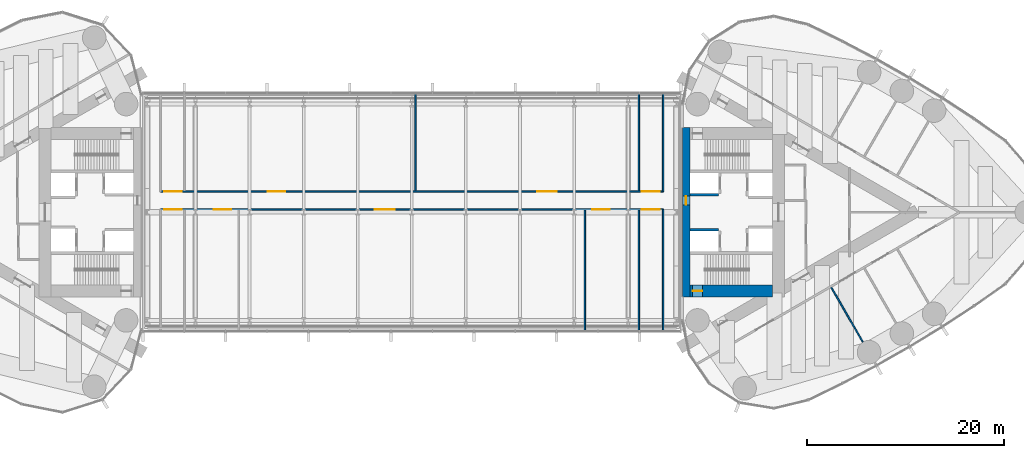
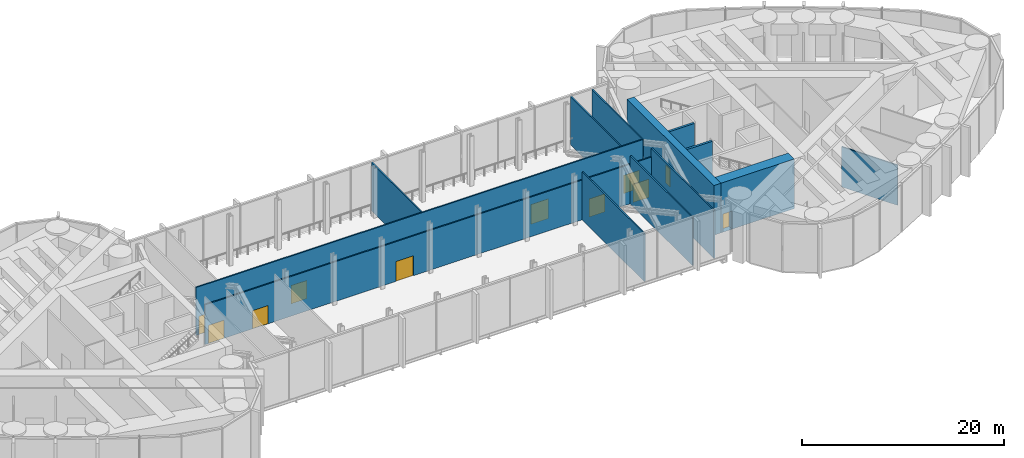
# One storey, part 17 of 21: 13 walls, 11 doors, 11 openings.
"""IFC4 building model written with IfcOpenShell, lengths in metres."""

from ifc_helpers import new_model, si_unit, direction, frame, frame_2d, origin, place, context, subcontext, project, spatial, rectangle, extrude, material, layer, layer_set, type_object, element, fill, save


model = new_model("IFC4")

# Units and contexts
model_context = context("Model", 3, precision=1e-05, world=origin(), true_north=direction((0.0, 1.0)))
body_context = subcontext(model_context, "Body", "Model", "MODEL_VIEW")
ifc_project = project(units=[si_unit("LENGTHUNIT", "METRE"), si_unit("AREAUNIT", "SQUARE_METRE"), si_unit("VOLUMEUNIT", "CUBIC_METRE"), si_unit("PLANEANGLEUNIT", "RADIAN"), si_unit("MASSUNIT", "GRAM", prefix="KILO")], contexts=[model_context])

# Site, building, storey
site_placement = place(None, origin())
site = spatial("IfcSite", under=ifc_project, at=site_placement, CompositionType="ELEMENT")
building_placement = place(site_placement, origin())
building = spatial("IfcBuilding", under=site, at=building_placement, Name="Lancet Gate Hotel", CompositionType="ELEMENT")
storey_placement = place(building_placement, frame((0.0, 0.0, 257.300048828125)))
storey = spatial("IfcBuildingStorey", under=building, at=storey_placement, Name="L68", CompositionType="ELEMENT", Elevation=257.300048828125)

# Wall, openings, doors
ifc_material_1 = material(Name="Gypsum board partition")
ifc_layer_1 = layer(ifc_material_1, 0.14990234375)
ifc_layer_set_1 = layer_set([ifc_layer_1], Name="Block corridor wall 150")
wall_type_1 = type_object("IfcWallType", Name="Block corridor wall 150", PredefinedType="PARTITIONING", material=ifc_layer_set_1)
wall_1_placement = place(storey_placement, frame((-25.550048828125, 0.300048828125, 0.0), z_axis=(0.0, 0.0, 1.0), x_axis=(1.0, 0.0, 0.0)))
wall_1 = element("IfcWall", 1, at=wall_1_placement, inside=storey, type_object=wall_type_1, Name="Bridge block block corridor wall 150 L68", PredefinedType="PARTITIONING", context=body_context, shape_type="SweptSolid", body=[
    extrude(rectangle(XDim=51.10009765625, YDim=0.14990234375, at=frame_2d((25.550048828125, 0.0))), origin(), (0.0, 0.0, 1.0), 4.800048828125),
])
opening_1_placement = place(wall_1_placement, frame((0.362548828125, 0.0, 0.0)))
opening_1 = element("IfcOpeningElement", 2, at=opening_1_placement, cuts=wall_1, Name="Opening BR-L68-P1", PredefinedType="OPENING", context=body_context, shape_type="SweptSolid", body=[
    extrude(rectangle(XDim=1.800048828125, YDim=2.199951171875, at=frame_2d((0.89990234375, 1.10009765625))), frame((0.0, 0.0849609375, 0.0), z_axis=(0.0, -1.0, 0.0), x_axis=(1.0, 0.0, 0.0)), (0.0, 0.0, 1.0), 0.169921875),
])
opening_2_placement = place(wall_1_placement, frame((5.39990234375, 0.0, 0.0)))
opening_2 = element("IfcOpeningElement", 3, at=opening_2_placement, cuts=wall_1, Name="Opening BR-L68-P2", PredefinedType="OPENING", context=body_context, shape_type="SweptSolid", body=[
    extrude(rectangle(XDim=1.800048828125, YDim=2.199951171875, at=frame_2d((0.89990234375, 1.10009765625))), frame((0.0, 0.0849609375, 0.0), z_axis=(0.0, -1.0, 0.0), x_axis=(1.0, 0.0, 0.0)), (0.0, 0.0, 1.0), 0.169921875),
])
opening_3_placement = place(wall_1_placement, frame((21.800048828125, 0.0, 0.0)))
opening_3 = element("IfcOpeningElement", 4, at=opening_3_placement, cuts=wall_1, Name="Opening BR-L68-P3", PredefinedType="OPENING", context=body_context, shape_type="SweptSolid", body=[
    extrude(rectangle(XDim=2.0, YDim=2.39990234375, at=frame_2d((1.0, 1.199951171875))), frame((0.0, 0.0849609375, 0.0), z_axis=(0.0, -1.0, 0.0), x_axis=(1.0, 0.0, 0.0)), (0.0, 0.0, 1.0), 0.169921875),
])
opening_4_placement = place(wall_1_placement, frame((43.89990234375, 0.0, 0.0)))
opening_4 = element("IfcOpeningElement", 5, at=opening_4_placement, cuts=wall_1, Name="Opening BR-L68-P4", PredefinedType="OPENING", context=body_context, shape_type="SweptSolid", body=[
    extrude(rectangle(XDim=1.800048828125, YDim=2.199951171875, at=frame_2d((0.89990234375, 1.10009765625))), frame((0.0, 0.0849609375, 0.0), z_axis=(0.0, -1.0, 0.0), x_axis=(1.0, 0.0, 0.0)), (0.0, 0.0, 1.0), 0.169921875),
])
opening_5_placement = place(wall_1_placement, frame((48.9375, 0.0, 0.0)))
opening_5 = element("IfcOpeningElement", 6, at=opening_5_placement, cuts=wall_1, Name="Opening BR-L68-P5", PredefinedType="OPENING", context=body_context, shape_type="SweptSolid", body=[
    extrude(rectangle(XDim=1.800048828125, YDim=2.199951171875, at=frame_2d((0.89990234375, 1.10009765625))), frame((0.0, 0.0849609375, 0.0), z_axis=(0.0, -1.0, 0.0), x_axis=(1.0, 0.0, 0.0)), (0.0, 0.0, 1.0), 0.169921875),
])
ifc_material_2 = material(Name="Timber door set", Category="wood")
door_type_1 = type_object("IfcDoorType", Name="Double door 1800", OperationType="DOUBLE_DOOR_SINGLE_SWING", PredefinedType="DOOR", material=ifc_material_2)
door_1_placement = place(opening_1_placement, origin())
door_1 = element("IfcDoor", 7, at=door_1_placement, inside=storey, type_object=door_type_1, Name="BR-L68-P1", OperationType="DOUBLE_DOOR_SINGLE_SWING", OverallHeight=2.199951171875, OverallWidth=1.800048828125, PredefinedType="DOOR", context=body_context, shape_type="SweptSolid", body=[
    extrude(rectangle(XDim=1.800048828125, YDim=2.199951171875, at=frame_2d((0.89990234375, 1.10009765625))), frame((0.0, 0.02490234375, 0.0), z_axis=(0.0, -1.0, 0.0), x_axis=(1.0, 0.0, 0.0)), (0.0, 0.0, 1.0), 0.050048828125),
])
fill(opening_1, door_1)
door_2_placement = place(opening_2_placement, origin())
door_2 = element("IfcDoor", 8, at=door_2_placement, inside=storey, type_object=door_type_1, Name="BR-L68-P2", OperationType="DOUBLE_DOOR_SINGLE_SWING", OverallHeight=2.199951171875, OverallWidth=1.800048828125, PredefinedType="DOOR", context=body_context, shape_type="SweptSolid", body=[
    extrude(rectangle(XDim=1.800048828125, YDim=2.199951171875, at=frame_2d((0.89990234375, 1.10009765625))), frame((0.0, 0.02490234375, 0.0), z_axis=(0.0, -1.0, 0.0), x_axis=(1.0, 0.0, 0.0)), (0.0, 0.0, 1.0), 0.050048828125),
])
fill(opening_2, door_2)
door_3_placement = place(opening_4_placement, origin())
door_3 = element("IfcDoor", 9, at=door_3_placement, inside=storey, type_object=door_type_1, Name="BR-L68-P4", OperationType="DOUBLE_DOOR_SINGLE_SWING", OverallHeight=2.199951171875, OverallWidth=1.800048828125, PredefinedType="DOOR", context=body_context, shape_type="SweptSolid", body=[
    extrude(rectangle(XDim=1.800048828125, YDim=2.199951171875, at=frame_2d((0.89990234375, 1.10009765625))), frame((0.0, 0.02490234375, 0.0), z_axis=(0.0, -1.0, 0.0), x_axis=(1.0, 0.0, 0.0)), (0.0, 0.0, 1.0), 0.050048828125),
])
fill(opening_4, door_3)
door_4_placement = place(opening_5_placement, origin())
door_4 = element("IfcDoor", 10, at=door_4_placement, inside=storey, type_object=door_type_1, Name="BR-L68-P5", OperationType="DOUBLE_DOOR_SINGLE_SWING", OverallHeight=2.199951171875, OverallWidth=1.800048828125, PredefinedType="DOOR", context=body_context, shape_type="SweptSolid", body=[
    extrude(rectangle(XDim=1.800048828125, YDim=2.199951171875, at=frame_2d((0.89990234375, 1.10009765625))), frame((0.0, 0.02490234375, 0.0), z_axis=(0.0, -1.0, 0.0), x_axis=(1.0, 0.0, 0.0)), (0.0, 0.0, 1.0), 0.050048828125),
])
fill(opening_5, door_4)
ifc_material_3 = material(Name="Timber door set", Category="wood")
door_type_2 = type_object("IfcDoorType", Name="Plant room double door 2000", OperationType="DOUBLE_DOOR_SINGLE_SWING", PredefinedType="DOOR", material=ifc_material_3)
door_5_placement = place(opening_3_placement, origin())
door_5 = element("IfcDoor", 11, at=door_5_placement, inside=storey, type_object=door_type_2, Name="BR-L68-P3", OperationType="DOUBLE_DOOR_SINGLE_SWING", OverallHeight=2.39990234375, OverallWidth=2.0, PredefinedType="DOOR", context=body_context, shape_type="SweptSolid", body=[
    extrude(rectangle(XDim=2.0, YDim=2.39990234375, at=frame_2d((1.0, 1.199951171875))), frame((0.0, 0.02490234375, 0.0), z_axis=(0.0, -1.0, 0.0), x_axis=(1.0, 0.0, 0.0)), (0.0, 0.0, 1.0), 0.050048828125),
])
fill(opening_3, door_5)

wall_2_placement = place(storey_placement, frame((-25.550048828125, 2.10009765625, 0.0), z_axis=(0.0, 0.0, 1.0), x_axis=(1.0, 0.0, 0.0)))
wall_2 = element("IfcWall", 12, at=wall_2_placement, inside=storey, type_object=wall_type_1, Name="Bridge block block corridor wall 150 L68", PredefinedType="PARTITIONING", context=body_context, shape_type="SweptSolid", body=[
    extrude(rectangle(XDim=51.10009765625, YDim=0.14990234375, at=frame_2d((25.550048828125, 0.0))), origin(), (0.0, 0.0, 1.0), 5.800048828125),
])
opening_6_placement = place(wall_2_placement, frame((0.362548828125, 0.0, 0.0)))
opening_6 = element("IfcOpeningElement", 13, at=opening_6_placement, cuts=wall_2, Name="Opening BR-L68-P6", PredefinedType="OPENING", context=body_context, shape_type="SweptSolid", body=[
    extrude(rectangle(XDim=1.800048828125, YDim=2.199951171875, at=frame_2d((0.89990234375, 1.10009765625))), frame((0.0, 0.0849609375, 0.0), z_axis=(0.0, -1.0, 0.0), x_axis=(1.0, 0.0, 0.0)), (0.0, 0.0, 1.0), 0.169921875),
])
opening_7_placement = place(wall_2_placement, frame((10.89990234375, 0.0, 0.0)))
opening_7 = element("IfcOpeningElement", 14, at=opening_7_placement, cuts=wall_2, Name="Opening BR-L68-P7", PredefinedType="OPENING", context=body_context, shape_type="SweptSolid", body=[
    extrude(rectangle(XDim=1.800048828125, YDim=2.199951171875, at=frame_2d((0.89990234375, 1.10009765625))), frame((0.0, 0.0849609375, 0.0), z_axis=(0.0, -1.0, 0.0), x_axis=(1.0, 0.0, 0.0)), (0.0, 0.0, 1.0), 0.169921875),
])
opening_8_placement = place(wall_2_placement, frame((38.300048828125, 0.0, 0.0)))
opening_8 = element("IfcOpeningElement", 15, at=opening_8_placement, cuts=wall_2, Name="Opening BR-L68-P8", PredefinedType="OPENING", context=body_context, shape_type="SweptSolid", body=[
    extrude(rectangle(XDim=2.0, YDim=2.39990234375, at=frame_2d((1.0, 1.199951171875))), frame((0.0, 0.0849609375, 0.0), z_axis=(0.0, -1.0, 0.0), x_axis=(1.0, 0.0, 0.0)), (0.0, 0.0, 1.0), 0.169921875),
])
opening_9_placement = place(wall_2_placement, frame((48.9375, 0.0, 0.0)))
opening_9 = element("IfcOpeningElement", 16, at=opening_9_placement, cuts=wall_2, Name="Opening BR-L68-P9", PredefinedType="OPENING", context=body_context, shape_type="SweptSolid", body=[
    extrude(rectangle(XDim=1.800048828125, YDim=2.199951171875, at=frame_2d((0.89990234375, 1.10009765625))), frame((0.0, 0.0849609375, 0.0), z_axis=(0.0, -1.0, 0.0), x_axis=(1.0, 0.0, 0.0)), (0.0, 0.0, 1.0), 0.169921875),
])
door_6_placement = place(opening_6_placement, origin())
door_6 = element("IfcDoor", 17, at=door_6_placement, inside=storey, type_object=door_type_1, Name="BR-L68-P6", OperationType="DOUBLE_DOOR_SINGLE_SWING", OverallHeight=2.199951171875, OverallWidth=1.800048828125, PredefinedType="DOOR", context=body_context, shape_type="SweptSolid", body=[
    extrude(rectangle(XDim=1.800048828125, YDim=2.199951171875, at=frame_2d((0.89990234375, 1.10009765625))), frame((0.0, 0.02490234375, 0.0), z_axis=(0.0, -1.0, 0.0), x_axis=(1.0, 0.0, 0.0)), (0.0, 0.0, 1.0), 0.050048828125),
])
fill(opening_6, door_6)
door_7_placement = place(opening_7_placement, origin())
door_7 = element("IfcDoor", 18, at=door_7_placement, inside=storey, type_object=door_type_1, Name="BR-L68-P7", OperationType="DOUBLE_DOOR_SINGLE_SWING", OverallHeight=2.199951171875, OverallWidth=1.800048828125, PredefinedType="DOOR", context=body_context, shape_type="SweptSolid", body=[
    extrude(rectangle(XDim=1.800048828125, YDim=2.199951171875, at=frame_2d((0.89990234375, 1.10009765625))), frame((0.0, 0.02490234375, 0.0), z_axis=(0.0, -1.0, 0.0), x_axis=(1.0, 0.0, 0.0)), (0.0, 0.0, 1.0), 0.050048828125),
])
fill(opening_7, door_7)
door_8_placement = place(opening_9_placement, origin())
door_8 = element("IfcDoor", 19, at=door_8_placement, inside=storey, type_object=door_type_1, Name="BR-L68-P9", OperationType="DOUBLE_DOOR_SINGLE_SWING", OverallHeight=2.199951171875, OverallWidth=1.800048828125, PredefinedType="DOOR", context=body_context, shape_type="SweptSolid", body=[
    extrude(rectangle(XDim=1.800048828125, YDim=2.199951171875, at=frame_2d((0.89990234375, 1.10009765625))), frame((0.0, 0.02490234375, 0.0), z_axis=(0.0, -1.0, 0.0), x_axis=(1.0, 0.0, 0.0)), (0.0, 0.0, 1.0), 0.050048828125),
])
fill(opening_9, door_8)
door_9_placement = place(opening_8_placement, origin())
door_9 = element("IfcDoor", 20, at=door_9_placement, inside=storey, type_object=door_type_2, Name="BR-L68-P8", OperationType="DOUBLE_DOOR_SINGLE_SWING", OverallHeight=2.39990234375, OverallWidth=2.0, PredefinedType="DOOR", context=body_context, shape_type="SweptSolid", body=[
    extrude(rectangle(XDim=2.0, YDim=2.39990234375, at=frame_2d((1.0, 1.199951171875))), frame((0.0, 0.02490234375, 0.0), z_axis=(0.0, -1.0, 0.0), x_axis=(1.0, 0.0, 0.0)), (0.0, 0.0, 1.0), 0.050048828125),
])
fill(opening_8, door_9)

# Wall, opening, door
ifc_material_4 = material(Name="Concrete C70/85", Category="concrete")
ifc_layer_2 = layer(ifc_material_4, 1.199951171875)
ifc_layer_set_2 = layer_set([ifc_layer_2], Name="Core wall 1200")
wall_type_2 = type_object("IfcWallType", Name="Core wall 1200", PredefinedType="SHEAR", material=ifc_layer_set_2)
wall_3_placement = place(storey_placement, frame((28.300048828125, -8.0, 0.0), z_axis=(0.0, 0.0, 1.0), x_axis=(1.0, 0.0, 0.0)))
wall_3 = element("IfcWall", 21, at=wall_3_placement, inside=storey, type_object=wall_type_2, Name="T2 core wall side-S L68", PredefinedType="SHEAR", context=body_context, shape_type="SweptSolid", body=[
    extrude(rectangle(XDim=8.39990234375, YDim=1.199951171875, at=frame_2d((4.199951171875, 0.0))), origin(), (0.0, 0.0, 1.0), 6.0),
])
opening_10_placement = place(wall_3_placement, frame((0.25, 0.0, 0.0)))
opening_10 = element("IfcOpeningElement", 22, at=opening_10_placement, cuts=wall_3, Name="Opening T2-L68-ST1", PredefinedType="OPENING", context=body_context, shape_type="SweptSolid", body=[
    extrude(rectangle(XDim=1.0, YDim=2.199951171875, at=frame_2d((0.5, 1.10009765625))), frame((0.0, 0.60986328125, 0.0), z_axis=(0.0, -1.0, 0.0), x_axis=(1.0, 0.0, 0.0)), (0.0, 0.0, 1.0), 1.219970703125),
])
ifc_material_5 = material(Name="Timber door set", Category="wood")
door_type_3 = type_object("IfcDoorType", Name="Stair door 1000", OperationType="SINGLE_SWING_RIGHT", PredefinedType="DOOR", material=ifc_material_5)
door_10_placement = place(opening_10_placement, origin())
door_10 = element("IfcDoor", 23, at=door_10_placement, inside=storey, type_object=door_type_3, Name="T2-L68-ST1", OperationType="SINGLE_SWING_RIGHT", OverallHeight=2.199951171875, OverallWidth=1.0, PredefinedType="DOOR", context=body_context, shape_type="SweptSolid", body=[
    extrude(rectangle(XDim=1.0, YDim=2.199951171875, at=frame_2d((0.5, 1.10009765625))), frame((0.0, 0.02490234375, 0.0), z_axis=(0.0, -1.0, 0.0), x_axis=(1.0, 0.0, 0.0)), (0.0, 0.0, 1.0), 0.050048828125),
])
fill(opening_10, door_10)

ifc_material_6 = material(Name="Concrete C70/85", Category="concrete")
ifc_layer_3 = layer(ifc_material_6, 0.800048828125)
ifc_layer_set_3 = layer_set([ifc_layer_3], Name="Core wall 800")
wall_type_3 = type_object("IfcWallType", Name="Core wall 800", PredefinedType="SHEAR", material=ifc_layer_set_3)
wall_4_placement = place(storey_placement, frame((27.89990234375, -8.60009765625, 0.0), z_axis=(0.0, 0.0, 1.0), x_axis=(0.0, 1.0, 0.0)))
wall_4 = element("IfcWall", 24, at=wall_4_placement, inside=storey, type_object=wall_type_3, Name="T2 core wall front L68", PredefinedType="SHEAR", context=body_context, shape_type="SweptSolid", body=[
    extrude(rectangle(XDim=17.2001953125, YDim=0.800048828125, at=frame_2d((8.60009765625, 0.0))), origin(), (0.0, 0.0, 1.0), 6.0),
])
opening_11_placement = place(wall_4_placement, frame((9.35009765625, 0.0, 0.0)))
opening_11 = element("IfcOpeningElement", 25, at=opening_11_placement, cuts=wall_4, Name="Opening T2-L68-BR", PredefinedType="OPENING", context=body_context, shape_type="SweptSolid", body=[
    extrude(rectangle(XDim=0.89990234375, YDim=2.199951171875, at=frame_2d((0.449951171875, 1.10009765625))), frame((0.0, 0.409912109375, 0.0), z_axis=(0.0, -1.0, 0.0), x_axis=(1.0, 0.0, 0.0)), (0.0, 0.0, 1.0), 0.820068359375),
])
ifc_material_7 = material(Name="Steel door set", Category="steel")
door_type_4 = type_object("IfcDoorType", Name="Bridge fire door 900", OperationType="SINGLE_SWING_LEFT", PredefinedType="DOOR", material=ifc_material_7)
door_11_placement = place(opening_11_placement, origin())
door_11 = element("IfcDoor", 26, at=door_11_placement, inside=storey, type_object=door_type_4, Name="T2-L68-BR", OperationType="SINGLE_SWING_LEFT", OverallHeight=2.199951171875, OverallWidth=0.89990234375, PredefinedType="DOOR", context=body_context, shape_type="SweptSolid", body=[
    extrude(rectangle(XDim=0.89990234375, YDim=2.199951171875, at=frame_2d((0.449951171875, 1.10009765625))), frame((0.0, 0.02490234375, 0.0), z_axis=(0.0, -1.0, 0.0), x_axis=(1.0, 0.0, 0.0)), (0.0, 0.0, 1.0), 0.050048828125),
])
fill(opening_11, door_11)

# Walls
ifc_material_8 = material(Name="Concrete C50/60", Category="concrete")
ifc_layer_4 = layer(ifc_material_8, 0.25)
ifc_layer_set_4 = layer_set([ifc_layer_4], Name="Lift shaft wall 250")
wall_type_4 = type_object("IfcWallType", Name="Lift shaft wall 250", PredefinedType="SHEAR", material=ifc_layer_set_4)
for number, where, z_axis, x_axis, name in (
    (27, (28.300048828125, -1.77490234375, 0.0), (0.0, 0.0, 1.0), (1.0, 0.0, 0.0), "T2 core wall pass1-S L68"),
    (28, (28.300048828125, 1.77490234375, 0.0), (0.0, 0.0, 1.0), (1.0, 0.0, 0.0), "T2 core wall pass1-N L68"),
):
    element("IfcWall", number, at=place(storey_placement, frame(where, z_axis=z_axis, x_axis=x_axis)), inside=storey, type_object=wall_type_4, Name=name, PredefinedType="SHEAR", context=body_context, shape_type="SweptSolid", body=[
        extrude(rectangle(XDim=2.89990234375, YDim=0.25, at=frame_2d((1.449951171875, 0.0))), origin(), (0.0, 0.0, 1.0), 6.0),
    ])
ifc_material_9 = material(Name="Gypsum board partition")
ifc_layer_5 = layer(ifc_material_9, 0.14990234375)
ifc_layer_set_5 = layer_set([ifc_layer_5], Name="Party wall 150")
wall_type_5 = type_object("IfcWallType", Name="Party wall 150", PredefinedType="PARTITIONING", material=ifc_layer_set_5)
wall_5_placement = place(storey_placement, frame((42.65966796875, -7.6455078125, 0.0), z_axis=(0.0, 0.0, 1.0), x_axis=(0.499996592859, -0.866027370889, 0.0)))
element("IfcWall", 29, at=wall_5_placement, inside=storey, type_object=wall_type_5, Name="T2 party wall 150 L68", PredefinedType="PARTITIONING", context=body_context, shape_type="SweptSolid", body=[
    extrude(rectangle(XDim=6.3984375, YDim=0.14990234375, at=frame_2d((3.19921875, 0.0))), origin(), (0.0, 0.0, 1.0), 4.849853515625),
])
ifc_material_10 = material(Name="Gypsum board partition")
ifc_layer_6 = layer(ifc_material_10, 0.14990234375)
ifc_layer_set_6 = layer_set([ifc_layer_6], Name="Service room wall 150")
wall_type_6 = type_object("IfcWallType", Name="Service room wall 150", PredefinedType="PARTITIONING", material=ifc_layer_set_6)
wall_6_placement = place(storey_placement, frame((25.550048828125, -12.070068359375, 0.0), z_axis=(0.0, 0.0, 1.0), x_axis=(0.0, 1.0, 0.0)))
element("IfcWall", 30, at=wall_6_placement, inside=storey, type_object=wall_type_6, Name="Bridge block service room wall 150 L68", PredefinedType="PARTITIONING", context=body_context, shape_type="SweptSolid", body=[
    extrude(rectangle(XDim=12.3701171875, YDim=0.14990234375, at=frame_2d((6.18505859375, 0.0))), origin(), (0.0, 0.0, 1.0), 5.800048828125),
])
wall_7_placement = place(storey_placement, frame((25.550048828125, 2.10009765625, 0.0), z_axis=(0.0, 0.0, 1.0), x_axis=(0.0, 1.0, 0.0)))
element("IfcWall", 31, at=wall_7_placement, inside=storey, type_object=wall_type_6, Name="Bridge block service room wall 150 L68", PredefinedType="PARTITIONING", context=body_context, shape_type="SweptSolid", body=[
    extrude(rectangle(XDim=9.969970703125, YDim=0.14990234375, at=frame_2d((4.98486328125, 0.0))), origin(), (0.0, 0.0, 1.0), 5.800048828125),
])
for number, where, z_axis, x_axis, name in (
    (32, (17.60009765625, -12.070068359375, 0.0), (0.0, 0.0, 1.0), (0.0, 1.0, 0.0), "Bridge block service room wall 150 L68"),
    (33, (23.10009765625, -12.070068359375, 0.0), (0.0, 0.0, 1.0), (0.0, 1.0, 0.0), "Bridge block service room wall 150 L68"),
):
    element("IfcWall", number, at=place(storey_placement, frame(where, z_axis=z_axis, x_axis=x_axis)), inside=storey, type_object=wall_type_6, Name=name, PredefinedType="PARTITIONING", context=body_context, shape_type="SweptSolid", body=[
        extrude(rectangle(XDim=12.295166015625, YDim=0.14990234375, at=frame_2d((6.1474609375, 0.0))), origin(), (0.0, 0.0, 1.0), 5.800048828125),
    ])
for number, where, z_axis, x_axis, name in (
    (34, (0.35009765625, 2.175048828125, 0.0), (0.0, 0.0, 1.0), (0.0, 1.0, 0.0), "Bridge block service room wall 150 L68"),
    (35, (23.10009765625, 2.175048828125, 0.0), (0.0, 0.0, 1.0), (0.0, 1.0, 0.0), "Bridge block service room wall 150 L68"),
):
    element("IfcWall", number, at=place(storey_placement, frame(where, z_axis=z_axis, x_axis=x_axis)), inside=storey, type_object=wall_type_6, Name=name, PredefinedType="PARTITIONING", context=body_context, shape_type="SweptSolid", body=[
        extrude(rectangle(XDim=9.89501953125, YDim=0.14990234375, at=frame_2d((4.947509765625, 0.0))), origin(), (0.0, 0.0, 1.0), 5.800048828125),
    ])

save(model, "model.ifc")
